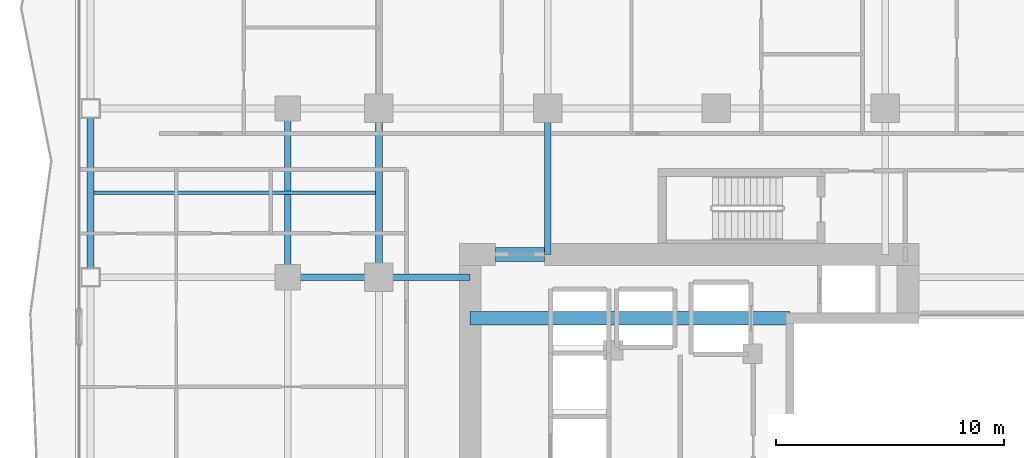
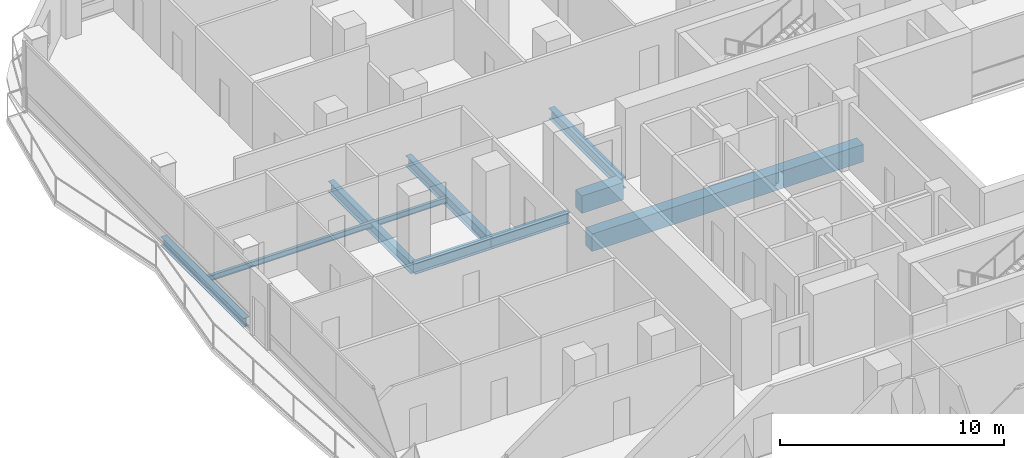
# One storey, part 7 of 28: 9 beams.
"""IFC4 building model written with IfcOpenShell, lengths in metres."""

from ifc_helpers import new_model, si_unit, direction, frame, origin, origin_2d, place, context, subcontext, project, spatial, rectangle, i_section, extrude, material, material_profile, profile_set, type_object, element, save


model = new_model("IFC4")

# Units and contexts
model_context = context("Model", 3, precision=1e-05, world=origin(), true_north=direction((0.0, 1.0)))
body_context = subcontext(model_context, "Body", "Model", "MODEL_VIEW")
ifc_project = project(units=[si_unit("LENGTHUNIT", "METRE"), si_unit("AREAUNIT", "SQUARE_METRE"), si_unit("VOLUMEUNIT", "CUBIC_METRE"), si_unit("PLANEANGLEUNIT", "RADIAN"), si_unit("MASSUNIT", "GRAM", prefix="KILO")], contexts=[model_context])

# Site, building, storey
site_placement = place(None, origin())
site = spatial("IfcSite", under=ifc_project, at=site_placement, CompositionType="ELEMENT")
building_placement = place(site_placement, origin())
building = spatial("IfcBuilding", under=site, at=building_placement, Name="Khorvyn Point Tower", CompositionType="ELEMENT")
storey_placement = place(building_placement, frame((0.0, 0.0, 104.699951171875)))
storey = spatial("IfcBuildingStorey", under=building, at=storey_placement, Name="L26", CompositionType="ELEMENT", Elevation=104.699951171875)

# Beams
ifc_material_1 = material(Name="Concrete C50/60", Category="concrete")
ifc_material_profile_1 = material_profile(ifc_material_1, rectangle(XDim=0.60009765625, YDim=0.949951171875, at=origin_2d()))
ifc_profile_set_1 = profile_set([ifc_material_profile_1], Name="Concrete C50/60 RC600x950")
beam_type_1 = type_object("IfcBeamType", Name="Concrete C50/60 Beam RC600x950", PredefinedType="BEAM", material=ifc_profile_set_1)
beam_1_placement = place(storey_placement, frame((-10.800048828125, 5.60009765625, -0.695068359375), z_axis=(1.0, 0.0, 0.0), x_axis=(0.0, 1.0, 0.0)))
element("IfcBeam", 1, at=beam_1_placement, inside=storey, type_object=beam_type_1, Name="L26 Core Internal Tie Girder N", PredefinedType="BEAM", context=body_context, shape_type="SweptSolid", body=[
    extrude(rectangle(XDim=0.60009765625, YDim=0.949951171875, at=origin_2d()), origin(), (0.0, 0.0, 1.0), 14.02001953125),
])
beam_2_placement = place(storey_placement, frame((-9.699951171875, 8.39990234375, -0.695068359375), z_axis=(1.0, 0.0, 0.0), x_axis=(0.0, 1.0, 0.0)))
element("IfcBeam", 2, at=beam_2_placement, inside=storey, type_object=beam_type_1, Name="L26 Core Northwest Portal Coupling Beam", PredefinedType="BEAM", context=body_context, shape_type="SweptSolid", body=[
    extrude(rectangle(XDim=0.60009765625, YDim=0.949951171875, at=origin_2d()), origin(), (0.0, 0.0, 1.0), 2.14990234375),
])
ifc_material_2 = material(Name="Steel S355", Category="steel")
ifc_material_profile_2 = material_profile(ifc_material_2, i_section(OverallWidth=0.300048828125, OverallDepth=0.587890625, WebThickness=0.011962890625, FlangeThickness=0.02001953125, at=origin_2d()))
ifc_profile_set_2 = profile_set([ifc_material_profile_2], Name="Steel S355 H588x300x12x20")
beam_type_2 = type_object("IfcBeamType", Name="Steel S355 Beam H588x300x12x20", PredefinedType="BEAM", material=ifc_profile_set_2)
for number, where, z_axis, x_axis, name in (
    (3, (-18.800048828125, 7.39990234375, -0.513916015625), (1.0, 0.0, 0.0), (0.0, 1.0, 0.0), "Beam"),
    (4, (-14.800048828125, 7.39990234375, -0.513916015625), (1.0, 0.0, 0.0), (0.0, 1.0, 0.0), "Beam"),
):
    element("IfcBeam", number, at=place(storey_placement, frame(where, z_axis=z_axis, x_axis=x_axis)), inside=storey, type_object=beam_type_2, Name=name, PredefinedType="BEAM", context=body_context, shape_type="SweptSolid", body=[
        extrude(i_section(OverallWidth=0.300048828125, OverallDepth=0.587890625, WebThickness=0.011962890625, FlangeThickness=0.02001953125, at=origin_2d()), origin(), (0.0, 0.0, 1.0), 4.0),
    ])
beam_3_placement = place(storey_placement, frame((-14.800048828125, 7.39990234375, -0.513916015625), z_axis=(0.0, 1.0, 0.0), x_axis=(-1.0, 0.0, 0.0)))
element("IfcBeam", 5, at=beam_3_placement, inside=storey, type_object=beam_type_2, Name="Beam", PredefinedType="BEAM", context=body_context, shape_type="SweptSolid", body=[
    extrude(i_section(OverallWidth=0.300048828125, OverallDepth=0.587890625, WebThickness=0.011962890625, FlangeThickness=0.02001953125, at=origin_2d()), origin(), (0.0, 0.0, 1.0), 7.400146484375),
])
beam_4_placement = place(storey_placement, frame((-7.39990234375, 8.39990234375, -0.513916015625), z_axis=(0.0, 1.0, 0.0), x_axis=(-1.0, 0.0, 0.0)))
element("IfcBeam", 6, at=beam_4_placement, inside=storey, type_object=beam_type_2, Name="Beam", PredefinedType="BEAM", context=body_context, shape_type="SweptSolid", body=[
    extrude(i_section(OverallWidth=0.300048828125, OverallDepth=0.587890625, WebThickness=0.011962890625, FlangeThickness=0.02001953125, at=origin_2d()), origin(), (0.0, 0.0, 1.0), 6.400146484375),
])
beam_5_placement = place(storey_placement, frame((-18.800048828125, 7.39990234375, -0.513916015625), z_axis=(0.0, 1.0, 0.0), x_axis=(-1.0, 0.0, 0.0)))
element("IfcBeam", 7, at=beam_5_placement, inside=storey, type_object=beam_type_2, Name="Beam", PredefinedType="BEAM", context=body_context, shape_type="SweptSolid", body=[
    extrude(i_section(OverallWidth=0.300048828125, OverallDepth=0.587890625, WebThickness=0.011962890625, FlangeThickness=0.02001953125, at=origin_2d()), origin(), (0.0, 0.0, 1.0), 7.400146484375),
])
ifc_material_profile_3 = material_profile(ifc_material_2, i_section(OverallWidth=0.14990234375, OverallDepth=0.300048828125, WebThickness=0.006591796875, FlangeThickness=0.009033203125, at=origin_2d()))
ifc_profile_set_3 = profile_set([ifc_material_profile_3], Name="Steel S355 H300x150x6.5x9")
beam_type_3 = type_object("IfcBeamType", Name="Steel S355 Joist H300x150x6.5x9", PredefinedType="JOIST", material=ifc_profile_set_3)
beam_6_placement = place(storey_placement, frame((-27.300048828125, 11.10009765625, -0.369873046875), z_axis=(1.0, 0.0, 0.0), x_axis=(0.0, 1.0, 0.0)))
element("IfcBeam", 8, at=beam_6_placement, inside=storey, type_object=beam_type_3, Name="Beam", PredefinedType="JOIST", context=body_context, shape_type="SweptSolid", body=[
    extrude(i_section(OverallWidth=0.14990234375, OverallDepth=0.300048828125, WebThickness=0.006591796875, FlangeThickness=0.009033203125, at=origin_2d()), origin(), (0.0, 0.0, 1.0), 12.35009765625),
])
ifc_material_profile_4 = material_profile(ifc_material_2, i_section(OverallWidth=0.300048828125, OverallDepth=0.488037109375, WebThickness=0.010986328125, FlangeThickness=0.01806640625, at=origin_2d()))
ifc_profile_set_4 = profile_set([ifc_material_profile_4], Name="Steel S355 H488x300x11x18")
beam_type_4 = type_object("IfcBeamType", Name="Steel S355 Spandrel H488x300x11x18", PredefinedType="SPANDREL", material=ifc_profile_set_4)
beam_7_placement = place(storey_placement, frame((-27.449951171875, 7.39990234375, -0.4638671875), z_axis=(0.0, 1.0, 0.0), x_axis=(-1.0, 0.0, 0.0)))
element("IfcBeam", 9, at=beam_7_placement, inside=storey, type_object=beam_type_4, Name="Beam", PredefinedType="SPANDREL", context=body_context, shape_type="SweptSolid", body=[
    extrude(i_section(OverallWidth=0.300048828125, OverallDepth=0.488037109375, WebThickness=0.010986328125, FlangeThickness=0.01806640625, at=origin_2d()), origin(), (0.0, 0.0, 1.0), 7.400146484375),
])

save(model, "model.ifc")
